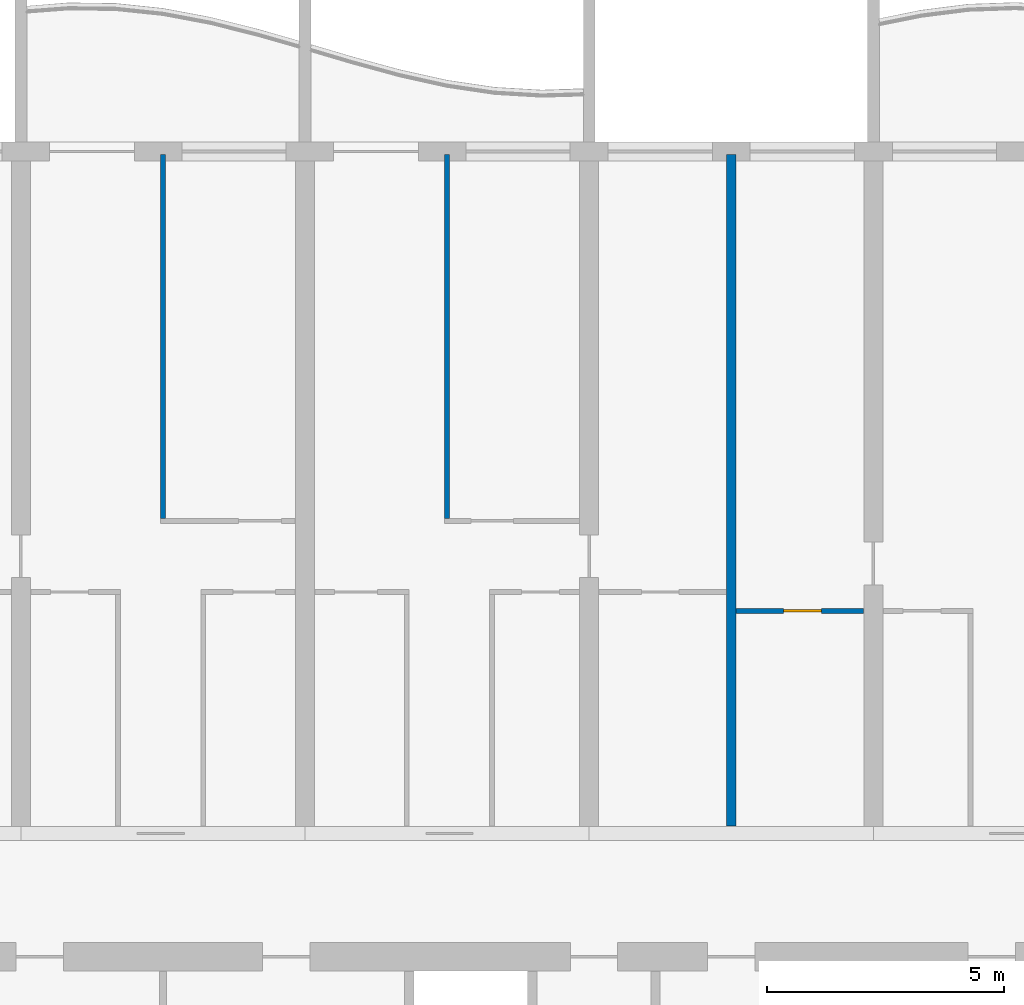
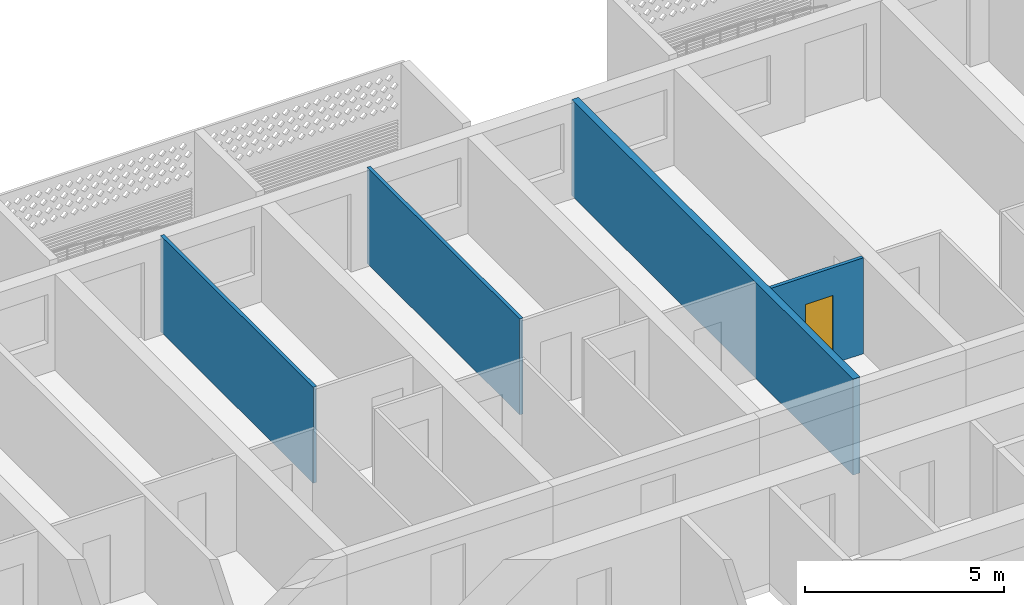
# One storey, part 11 of 39: 4 walls, 1 door, 1 opening.
"""IFC4 building model written with IfcOpenShell, lengths in metres."""

from ifc_helpers import new_model, si_unit, direction, frame, frame_2d, origin, place, context, subcontext, project, spatial, rectangle, extrude, material, layer, layer_set, type_object, element, fill, save


model = new_model("IFC4")

# Units and contexts
model_context = context("Model", 3, precision=1e-05, world=origin(), true_north=direction((0.0, 1.0)))
body_context = subcontext(model_context, "Body", "Model", "MODEL_VIEW")
ifc_project = project(units=[si_unit("LENGTHUNIT", "METRE"), si_unit("AREAUNIT", "SQUARE_METRE"), si_unit("VOLUMEUNIT", "CUBIC_METRE"), si_unit("PLANEANGLEUNIT", "RADIAN"), si_unit("MASSUNIT", "GRAM", prefix="KILO")], contexts=[model_context])

# Site, building, storey
site_placement = place(None, origin())
site = spatial("IfcSite", under=ifc_project, at=site_placement, CompositionType="ELEMENT")
building_placement = place(site_placement, origin())
building = spatial("IfcBuilding", under=site, at=building_placement, Name="Poui Terraces", CompositionType="ELEMENT")
storey_placement = place(building_placement, frame((0.0, 0.0, 63.0)))
storey = spatial("IfcBuildingStorey", under=building, at=storey_placement, Name="L17", CompositionType="ELEMENT", Elevation=63.0)

# Wall, opening, door
ifc_material_1 = material(Name="Plasterboard partition")
ifc_layer_1 = layer(ifc_material_1, 0.10009765625)
ifc_layer_set_1 = layer_set([ifc_layer_1], Name="Plasterboard partition")
wall_type_1 = type_object("IfcWallType", Name="FLAT PARTITION 100", PredefinedType="PARTITIONING", material=ifc_layer_set_1)
wall_1_placement = place(storey_placement, frame((51.10009765625, 35.10009765625, 0.0), z_axis=(0.0, 0.0, 1.0), x_axis=(1.0, 0.0, 0.0)))
wall_1 = element("IfcWall", 1, at=wall_1_placement, inside=storey, type_object=wall_type_1, Name="FLAT PARTITION 100", PredefinedType="PARTITIONING", context=body_context, shape_type="SweptSolid", body=[
    extrude(rectangle(XDim=2.68994140625, YDim=0.10009765625, at=frame_2d((1.344970703125, 0.0))), origin(), (0.0, 0.0, 1.0), 2.949951171875),
])
opening_placement = place(wall_1_placement, frame((1.0, 0.0, 0.0)))
opening = element("IfcOpeningElement", 2, at=opening_placement, cuts=wall_1, Name="Opening D80", PredefinedType="OPENING", context=body_context, shape_type="SweptSolid", body=[
    extrude(rectangle(XDim=0.800048828125, YDim=2.10009765625, at=frame_2d((0.39990234375, 1.050048828125))), frame((0.0, 0.06005859375, 0.0), z_axis=(0.0, -1.0, 0.0), x_axis=(1.0, 0.0, 0.0)), (0.0, 0.0, 1.0), 0.1201171875),
])
ifc_material_2 = material(Name="Solid core timber door", Category="wood")
door_type = type_object("IfcDoorType", Name="BATHROOM, LAUNDRY AND STORE DOOR 800 X 2100", OperationType="NOTDEFINED", PredefinedType="DOOR", material=ifc_material_2)
door_placement = place(opening_placement, frame((0.800048828125, 0.0, 0.0), z_axis=(0.0, 0.0, 1.0), x_axis=(-1.0, 0.0, 0.0)))
door = element("IfcDoor", 3, at=door_placement, inside=storey, type_object=door_type, Name="BATHROOM, LAUNDRY AND STORE DOOR 058", OperationType="SINGLE_SWING_RIGHT", OverallHeight=2.10009765625, OverallWidth=0.800048828125, PredefinedType="DOOR", context=body_context, shape_type="SweptSolid", body=[
    extrude(rectangle(XDim=0.800048828125, YDim=2.10009765625, at=frame_2d((0.39990234375, 1.050048828125))), frame((0.0, 0.02490234375, 0.0), z_axis=(0.0, -1.0, 0.0), x_axis=(1.0, 0.0, 0.0)), (0.0, 0.0, 1.0), 0.050048828125),
])
fill(opening, door)

# Walls
for number, where, z_axis, x_axis, name in (
    (4, (39.0, 37.050048828125, 0.0), (0.0, 0.0, 1.0), (0.0, 1.0, 0.0), "FLAT PARTITION 100"),
    (5, (45.0, 37.050048828125, 0.0), (0.0, 0.0, 1.0), (0.0, 1.0, 0.0), "FLAT PARTITION 100"),
):
    element("IfcWall", number, at=place(storey_placement, frame(where, z_axis=z_axis, x_axis=x_axis)), inside=storey, type_object=wall_type_1, Name=name, PredefinedType="PARTITIONING", context=body_context, shape_type="SweptSolid", body=[
        extrude(rectangle(XDim=7.68994140625, YDim=0.10009765625, at=frame_2d((3.844970703125, 0.0))), origin(), (0.0, 0.0, 1.0), 2.949951171875),
    ])
ifc_material_3 = material(Name="Fire-rated masonry wall", Category="masonry")
ifc_layer_2 = layer(ifc_material_3, 0.199951171875)
ifc_layer_set_2 = layer_set([ifc_layer_2], Name="Fire-rated masonry wall")
wall_type_2 = type_object("IfcWallType", Name="FLAT PARTY WALL 200", PredefinedType="PARTITIONING", material=ifc_layer_set_2)
wall_2_placement = place(storey_placement, frame((51.0, 30.56005859375, 0.0), z_axis=(0.0, 0.0, 1.0), x_axis=(0.0, 1.0, 0.0)))
element("IfcWall", 6, at=wall_2_placement, inside=storey, type_object=wall_type_2, Name="FLAT PARTY WALL 200", PredefinedType="PARTITIONING", context=body_context, shape_type="SweptSolid", body=[
    extrude(rectangle(XDim=14.179931640625, YDim=0.199951171875, at=frame_2d((7.08984375, 0.0))), origin(), (0.0, 0.0, 1.0), 2.949951171875),
])

save(model, "model.ifc")
